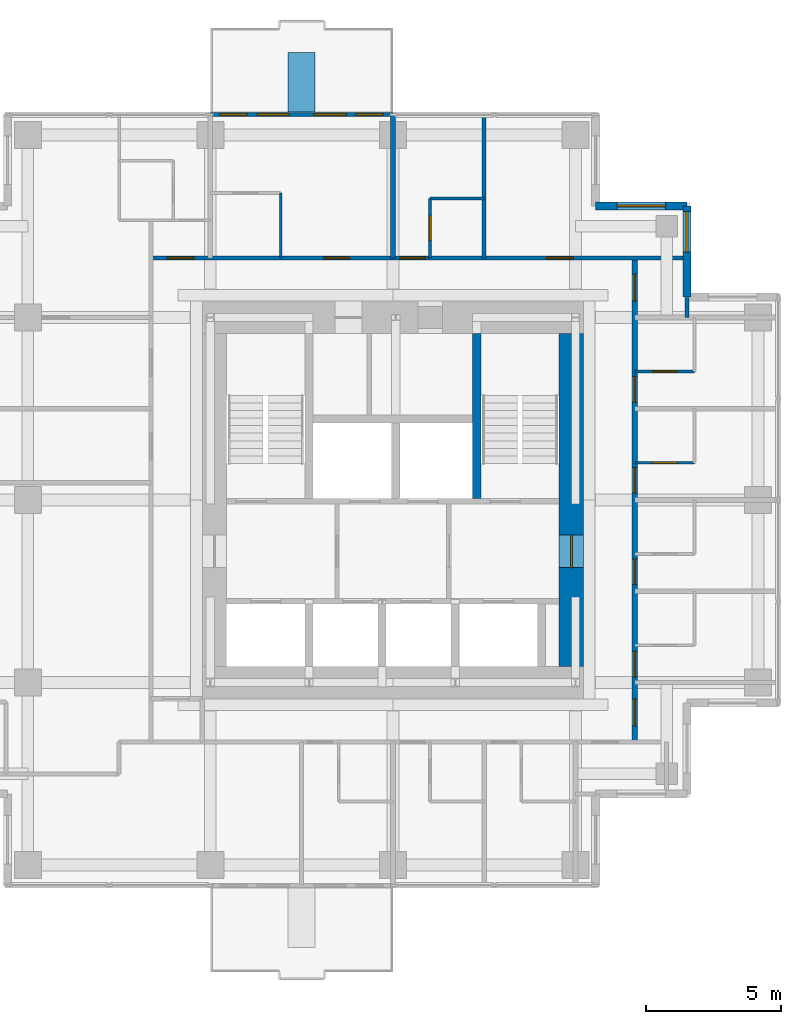
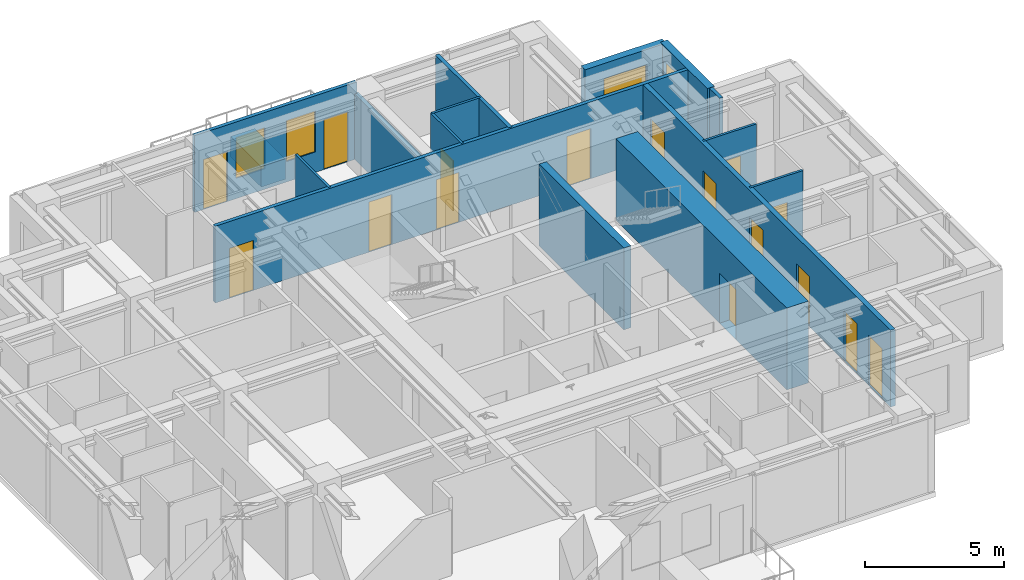
# One storey, part 6 of 8: 16 doors, 16 walls, 4 windows, 20 openings.
"""IFC4 building model written with IfcOpenShell, lengths in metres."""

from ifc_helpers import new_model, si_unit, direction, frame, frame_2d, origin, place, context, subcontext, project, spatial, rectangle, extrude, material, layer, layer_set, type_object, element, fill, save


model = new_model("IFC4")

# Units and contexts
model_context = context("Model", 3, precision=1e-05, world=origin(), true_north=direction((0.0, 1.0)))
body_context = subcontext(model_context, "Body", "Model", "MODEL_VIEW")
ifc_project = project(units=[si_unit("LENGTHUNIT", "METRE"), si_unit("AREAUNIT", "SQUARE_METRE"), si_unit("VOLUMEUNIT", "CUBIC_METRE"), si_unit("PLANEANGLEUNIT", "RADIAN"), si_unit("MASSUNIT", "GRAM", prefix="KILO")], contexts=[model_context])

# Site, building, storey
site_placement = place(None, origin())
site = spatial("IfcSite", under=ifc_project, at=site_placement, CompositionType="ELEMENT")
building_placement = place(site_placement, origin())
building = spatial("IfcBuilding", under=site, at=building_placement, Name="Nyansa Garden Tower", CompositionType="ELEMENT")
storey_placement = place(building_placement, frame((0.0, 0.0, 240.300048828125)))
storey = spatial("IfcBuildingStorey", under=building, at=storey_placement, Name="L65", CompositionType="ELEMENT", Elevation=240.300048828125)

# Wall
ifc_material_1 = material(Name="Dense blockwork, plastered both sides, 55 dB", Category="masonry")
ifc_layer_1 = layer(ifc_material_1, 0.175048828125)
ifc_layer_set_1 = layer_set([ifc_layer_1], Name="Acoustic party wall PW175")
wall_type_1 = type_object("IfcWallType", Name="Acoustic party wall PW175", PredefinedType="PARTITIONING", material=ifc_layer_set_1)
wall_1_placement = place(storey_placement, frame((20.25, 29.199951171875, 0.0), z_axis=(0.0, 0.0, 1.0), x_axis=(0.0, 1.0, 0.0)))
element("IfcWall", 1, at=wall_1_placement, inside=storey, type_object=wall_type_1, Name="Party wall", PredefinedType="PARTITIONING", context=body_context, shape_type="SweptSolid", body=[
    extrude(rectangle(XDim=5.283935546875, YDim=0.175048828125, at=frame_2d((2.64208984375, 0.0))), origin(), (0.0, 0.0, 1.0), 2.876953125),
])

# Wall, openings, doors, windows
ifc_material_2 = material(Name="Black aluminium framed glazed screen", Category="aluminium")
ifc_layer_2 = layer(ifc_material_2, 0.14990234375)
ifc_layer_set_2 = layer_set([ifc_layer_2], Name="Balcony screen wall BW150")
wall_type_2 = type_object("IfcWallType", Name="Balcony screen wall BW150", PredefinedType="SOLIDWALL", material=ifc_layer_set_2)
wall_2_placement = place(storey_placement, frame((13.5, 34.5, 0.0), z_axis=(0.0, 0.0, 1.0), x_axis=(1.0, 0.0, 0.0)))
wall_2 = element("IfcWall", 2, at=wall_2_placement, inside=storey, type_object=wall_type_2, Name="Glazed screen wall L65 N", PredefinedType="SOLIDWALL", context=body_context, shape_type="SweptSolid", body=[
    extrude(rectangle(XDim=6.75, YDim=0.14990234375, at=frame_2d((3.375, 0.0))), origin(), (0.0, 0.0, 1.0), 3.375),
])
opening_1_placement = place(wall_2_placement, frame((0.362548828125, 0.0, 0.0)))
opening_1 = element("IfcOpeningElement", 3, at=opening_1_placement, cuts=wall_2, Name="Opening D20", PredefinedType="OPENING", context=body_context, shape_type="SweptSolid", body=[
    extrude(rectangle(XDim=1.0, YDim=2.199951171875, at=frame_2d((0.5, 1.10009765625))), frame((0.0, 0.0849609375, 0.0), z_axis=(0.0, -1.0, 0.0), x_axis=(1.0, 0.0, 0.0)), (0.0, 0.0, 1.0), 0.169921875),
])
opening_2_placement = place(wall_2_placement, frame((1.72509765625, 0.0, 0.89990234375)))
opening_2 = element("IfcOpeningElement", 4, at=opening_2_placement, cuts=wall_2, Name="Opening W6", PredefinedType="OPENING", context=body_context, shape_type="SweptSolid", body=[
    extrude(rectangle(XDim=1.199951171875, YDim=1.800048828125, at=frame_2d((0.60009765625, 0.89990234375))), frame((0.0, 0.0849609375, 0.0), z_axis=(0.0, -1.0, 0.0), x_axis=(1.0, 0.0, 0.0)), (0.0, 0.0, 1.0), 0.169921875),
])
opening_3_placement = place(wall_2_placement, frame((5.387451171875, 0.0, 0.0)))
opening_3 = element("IfcOpeningElement", 5, at=opening_3_placement, cuts=wall_2, Name="Opening D20", PredefinedType="OPENING", context=body_context, shape_type="SweptSolid", body=[
    extrude(rectangle(XDim=1.0, YDim=2.199951171875, at=frame_2d((0.5, 1.10009765625))), frame((0.0, 0.0849609375, 0.0), z_axis=(0.0, -1.0, 0.0), x_axis=(1.0, 0.0, 0.0)), (0.0, 0.0, 1.0), 0.169921875),
])
opening_4_placement = place(wall_2_placement, frame((3.824951171875, 0.0, 0.89990234375)))
opening_4 = element("IfcOpeningElement", 6, at=opening_4_placement, cuts=wall_2, Name="Opening W6", PredefinedType="OPENING", context=body_context, shape_type="SweptSolid", body=[
    extrude(rectangle(XDim=1.199951171875, YDim=1.800048828125, at=frame_2d((0.60009765625, 0.89990234375))), frame((0.0, 0.0849609375, 0.0), z_axis=(0.0, -1.0, 0.0), x_axis=(1.0, 0.0, 0.0)), (0.0, 0.0, 1.0), 0.169921875),
])
ifc_material_3 = material(Name="Black aluminium framed glazed door", Category="aluminium")
door_type_1 = type_object("IfcDoorType", Name="Balcony door D20 1000x2200", OperationType="NOTDEFINED", PredefinedType="DOOR", material=ifc_material_3)
door_1_placement = place(opening_1_placement, origin())
door_1 = element("IfcDoor", 7, at=door_1_placement, inside=storey, type_object=door_type_1, Name="Balcony door L65", OperationType="SINGLE_SWING_LEFT", OverallHeight=2.199951171875, OverallWidth=1.0, PredefinedType="DOOR", context=body_context, shape_type="SweptSolid", body=[
    extrude(rectangle(XDim=1.0, YDim=2.199951171875, at=frame_2d((0.5, 1.10009765625))), frame((0.0, 0.02490234375, 0.0), z_axis=(0.0, -1.0, 0.0), x_axis=(1.0, 0.0, 0.0)), (0.0, 0.0, 1.0), 0.050048828125),
])
fill(opening_1, door_1)
door_2_placement = place(opening_3_placement, origin())
door_2 = element("IfcDoor", 8, at=door_2_placement, inside=storey, type_object=door_type_1, Name="Balcony door L65", OperationType="SINGLE_SWING_RIGHT", OverallHeight=2.199951171875, OverallWidth=1.0, PredefinedType="DOOR", context=body_context, shape_type="SweptSolid", body=[
    extrude(rectangle(XDim=1.0, YDim=2.199951171875, at=frame_2d((0.5, 1.10009765625))), frame((0.0, 0.02490234375, 0.0), z_axis=(0.0, -1.0, 0.0), x_axis=(1.0, 0.0, 0.0)), (0.0, 0.0, 1.0), 0.050048828125),
])
fill(opening_3, door_2)
ifc_material_4 = material(Name="Black aluminium frame, dark tinted double glazing", Category="aluminium")
window_type_1 = type_object("IfcWindowType", Name="Balcony window W6 1200x1800", PartitioningType="SINGLE_PANEL", PredefinedType="WINDOW", material=ifc_material_4)
window_1_placement = place(opening_2_placement, origin())
window_1 = element("IfcWindow", 9, at=window_1_placement, inside=storey, type_object=window_type_1, Name="Window L65", OverallHeight=1.800048828125, OverallWidth=1.199951171875, PartitioningType="SINGLE_PANEL", PredefinedType="WINDOW", context=body_context, shape_type="SweptSolid", body=[
    extrude(rectangle(XDim=1.199951171875, YDim=1.800048828125, at=frame_2d((0.60009765625, 0.89990234375))), frame((0.0, 0.030029296875, 0.0), z_axis=(0.0, -1.0, 0.0), x_axis=(1.0, 0.0, 0.0)), (0.0, 0.0, 1.0), 0.06005859375),
])
fill(opening_2, window_1)
window_2_placement = place(opening_4_placement, origin())
window_2 = element("IfcWindow", 10, at=window_2_placement, inside=storey, type_object=window_type_1, Name="Window L65", OverallHeight=1.800048828125, OverallWidth=1.199951171875, PartitioningType="SINGLE_PANEL", PredefinedType="WINDOW", context=body_context, shape_type="SweptSolid", body=[
    extrude(rectangle(XDim=1.199951171875, YDim=1.800048828125, at=frame_2d((0.60009765625, 0.89990234375))), frame((0.0, 0.030029296875, 0.0), z_axis=(0.0, -1.0, 0.0), x_axis=(1.0, 0.0, 0.0)), (0.0, 0.0, 1.0), 0.06005859375),
])
fill(opening_4, window_2)

# Wall
ifc_material_5 = material(Name="Concrete C70/85", Category="concrete")
ifc_layer_3 = layer(ifc_material_5, 0.300048828125)
ifc_layer_set_3 = layer_set([ifc_layer_3], Name="Core inner wall CI300")
wall_type_3 = type_object("IfcWallType", Name="Core inner wall CI300", PredefinedType="SHEAR", material=ifc_layer_set_3)
wall_3_placement = place(storey_placement, frame((23.35009765625, 20.300048828125, 0.0), z_axis=(0.0, 0.0, 1.0), x_axis=(0.0, 1.0, 0.0)))
element("IfcWall", 11, at=wall_3_placement, inside=storey, type_object=wall_type_3, Name="Core inner wall L65", PredefinedType="SHEAR", context=body_context, shape_type="SweptSolid", body=[
    extrude(rectangle(XDim=6.099853515625, YDim=0.300048828125, at=frame_2d((3.0498046875, 0.0))), origin(), (0.0, 0.0, 1.0), 3.599853515625),
])

# Wall, opening, door
ifc_material_6 = material(Name="Concrete C80/95", Category="concrete")
ifc_layer_4 = layer(ifc_material_6, 0.89990234375)
ifc_layer_set_4 = layer_set([ifc_layer_4], Name="Core wall CW900")
wall_type_4 = type_object("IfcWallType", Name="Core wall CW900", PredefinedType="SHEAR", material=ifc_layer_set_4)
wall_4_placement = place(storey_placement, frame((26.85009765625, 14.10009765625, 0.0), z_axis=(0.0, 0.0, 1.0), x_axis=(0.0, 1.0, 0.0)))
wall_4 = element("IfcWall", 12, at=wall_4_placement, inside=storey, type_object=wall_type_4, Name="Core wall E L65", PredefinedType="SHEAR", context=body_context, shape_type="SweptSolid", body=[
    extrude(rectangle(XDim=12.2998046875, YDim=0.89990234375, at=frame_2d((6.14990234375, 0.0))), origin(), (0.0, 0.0, 1.0), 3.599853515625),
])
opening_5_placement = place(wall_4_placement, frame((3.64990234375, 0.0, 0.0)))
opening_5 = element("IfcOpeningElement", 13, at=opening_5_placement, cuts=wall_4, Name="Opening D06", PredefinedType="OPENING", context=body_context, shape_type="SweptSolid", body=[
    extrude(rectangle(XDim=1.199951171875, YDim=2.199951171875, at=frame_2d((0.60009765625, 1.10009765625))), frame((0.0, 0.4599609375, 0.0), z_axis=(0.0, -1.0, 0.0), x_axis=(1.0, 0.0, 0.0)), (0.0, 0.0, 1.0), 0.919921875),
])
ifc_material_7 = material(Name="Steel door, 120 minute fire resisting", Category="steel")
door_type_2 = type_object("IfcDoorType", Name="Lobby door D06 1200x2200", OperationType="DOUBLE_DOOR_SINGLE_SWING", PredefinedType="DOOR", material=ifc_material_7)
door_3_placement = place(opening_5_placement, origin())
door_3 = element("IfcDoor", 14, at=door_3_placement, inside=storey, type_object=door_type_2, Name="Lift lobby door east", OperationType="DOUBLE_DOOR_SINGLE_SWING", OverallHeight=2.199951171875, OverallWidth=1.199951171875, PredefinedType="DOOR", context=body_context, shape_type="SweptSolid", body=[
    extrude(rectangle(XDim=1.199951171875, YDim=2.199951171875, at=frame_2d((0.60009765625, 1.10009765625))), frame((0.0, 0.02490234375, 0.0), z_axis=(0.0, -1.0, 0.0), x_axis=(1.0, 0.0, 0.0)), (0.0, 0.0, 1.0), 0.050048828125),
])
fill(opening_5, door_3)

# Wall, openings, doors
ifc_material_8 = material(Name="Concrete blockwork, plastered, 60 minute fire resisting", Category="masonry")
ifc_layer_5 = layer(ifc_material_8, 0.199951171875)
ifc_layer_set_5 = layer_set([ifc_layer_5], Name="Corridor wall FW200")
wall_type_5 = type_object("IfcWallType", Name="Corridor wall FW200", PredefinedType="PARTITIONING", material=ifc_layer_set_5)
wall_5_placement = place(storey_placement, frame((29.199951171875, 11.300048828125, 0.0), z_axis=(0.0, 0.0, 1.0), x_axis=(0.0, 1.0, 0.0)))
wall_5 = element("IfcWall", 15, at=wall_5_placement, inside=storey, type_object=wall_type_5, Name="Corridor wall", PredefinedType="PARTITIONING", context=body_context, shape_type="SweptSolid", body=[
    extrude(rectangle(XDim=17.89990234375, YDim=0.199951171875, at=frame_2d((8.949951171875, 0.0))), origin(), (0.0, 0.0, 1.0), 3.375),
])
opening_6_placement = place(wall_5_placement, frame((0.60009765625, 0.0, 0.0)))
opening_6 = element("IfcOpeningElement", 16, at=opening_6_placement, cuts=wall_5, Name="Opening D03", PredefinedType="OPENING", context=body_context, shape_type="SweptSolid", body=[
    extrude(rectangle(XDim=1.0, YDim=2.199951171875, at=frame_2d((0.5, 1.10009765625))), frame((0.0, 0.10986328125, 0.0), z_axis=(0.0, -1.0, 0.0), x_axis=(1.0, 0.0, 0.0)), (0.0, 0.0, 1.0), 0.219970703125),
])
opening_7_placement = place(wall_5_placement, frame((2.39990234375, 0.0, 0.0)))
opening_7 = element("IfcOpeningElement", 17, at=opening_7_placement, cuts=wall_5, Name="Opening D14", PredefinedType="OPENING", context=body_context, shape_type="SweptSolid", body=[
    extrude(rectangle(XDim=0.949951171875, YDim=2.199951171875, at=frame_2d((0.47509765625, 1.10009765625))), frame((0.0, 0.10986328125, 0.0), z_axis=(0.0, -1.0, 0.0), x_axis=(1.0, 0.0, 0.0)), (0.0, 0.0, 1.0), 0.219970703125),
])
opening_8_placement = place(wall_5_placement, frame((5.824951171875, 0.0, 0.0)))
opening_8 = element("IfcOpeningElement", 18, at=opening_8_placement, cuts=wall_5, Name="Opening D14", PredefinedType="OPENING", context=body_context, shape_type="SweptSolid", body=[
    extrude(rectangle(XDim=0.949951171875, YDim=2.199951171875, at=frame_2d((0.47509765625, 1.10009765625))), frame((0.0, 0.10986328125, 0.0), z_axis=(0.0, -1.0, 0.0), x_axis=(1.0, 0.0, 0.0)), (0.0, 0.0, 1.0), 0.219970703125),
])
opening_9_placement = place(wall_5_placement, frame((9.199951171875, 0.0, 0.0)))
opening_9 = element("IfcOpeningElement", 19, at=opening_9_placement, cuts=wall_5, Name="Opening D14", PredefinedType="OPENING", context=body_context, shape_type="SweptSolid", body=[
    extrude(rectangle(XDim=0.949951171875, YDim=2.199951171875, at=frame_2d((0.47509765625, 1.10009765625))), frame((0.0, 0.10986328125, 0.0), z_axis=(0.0, -1.0, 0.0), x_axis=(1.0, 0.0, 0.0)), (0.0, 0.0, 1.0), 0.219970703125),
])
opening_10_placement = place(wall_5_placement, frame((12.574951171875, 0.0, 0.0)))
opening_10 = element("IfcOpeningElement", 20, at=opening_10_placement, cuts=wall_5, Name="Opening D14", PredefinedType="OPENING", context=body_context, shape_type="SweptSolid", body=[
    extrude(rectangle(XDim=0.949951171875, YDim=2.199951171875, at=frame_2d((0.47509765625, 1.10009765625))), frame((0.0, 0.10986328125, 0.0), z_axis=(0.0, -1.0, 0.0), x_axis=(1.0, 0.0, 0.0)), (0.0, 0.0, 1.0), 0.219970703125),
])
opening_11_placement = place(wall_5_placement, frame((16.300048828125, 0.0, 0.0)))
opening_11 = element("IfcOpeningElement", 21, at=opening_11_placement, cuts=wall_5, Name="Opening D03", PredefinedType="OPENING", context=body_context, shape_type="SweptSolid", body=[
    extrude(rectangle(XDim=1.0, YDim=2.199951171875, at=frame_2d((0.5, 1.10009765625))), frame((0.0, 0.10986328125, 0.0), z_axis=(0.0, -1.0, 0.0), x_axis=(1.0, 0.0, 0.0)), (0.0, 0.0, 1.0), 0.219970703125),
])
ifc_material_9 = material(Name="Timber flush door, 60 minute fire resisting", Category="wood")
door_type_3 = type_object("IfcDoorType", Name="Cluster entrance door D03 1000x2200", OperationType="SINGLE_SWING_LEFT", PredefinedType="DOOR", material=ifc_material_9)
door_4_placement = place(opening_6_placement, origin())
door_4 = element("IfcDoor", 22, at=door_4_placement, inside=storey, type_object=door_type_3, Name="Door L65-025", OperationType="SINGLE_SWING_LEFT", OverallHeight=2.199951171875, OverallWidth=1.0, PredefinedType="DOOR", context=body_context, shape_type="SweptSolid", body=[
    extrude(rectangle(XDim=1.0, YDim=2.199951171875, at=frame_2d((0.5, 1.10009765625))), frame((0.0, 0.02490234375, 0.0), z_axis=(0.0, -1.0, 0.0), x_axis=(1.0, 0.0, 0.0)), (0.0, 0.0, 1.0), 0.050048828125),
])
fill(opening_6, door_4)
door_5_placement = place(opening_11_placement, origin())
door_5 = element("IfcDoor", 23, at=door_5_placement, inside=storey, type_object=door_type_3, Name="Door L65-034", OperationType="SINGLE_SWING_LEFT", OverallHeight=2.199951171875, OverallWidth=1.0, PredefinedType="DOOR", context=body_context, shape_type="SweptSolid", body=[
    extrude(rectangle(XDim=1.0, YDim=2.199951171875, at=frame_2d((0.5, 1.10009765625))), frame((0.0, 0.02490234375, 0.0), z_axis=(0.0, -1.0, 0.0), x_axis=(1.0, 0.0, 0.0)), (0.0, 0.0, 1.0), 0.050048828125),
])
fill(opening_11, door_5)
ifc_material_10 = material(Name="Timber flush door, 60 minute fire resisting, self-closing", Category="wood")
door_type_4 = type_object("IfcDoorType", Name="Studio entrance door D14 950x2200", OperationType="SINGLE_SWING_LEFT", PredefinedType="DOOR", material=ifc_material_10)
door_6_placement = place(opening_7_placement, origin())
door_6 = element("IfcDoor", 24, at=door_6_placement, inside=storey, type_object=door_type_4, Name="Door L65-026", OperationType="SINGLE_SWING_LEFT", OverallHeight=2.199951171875, OverallWidth=0.949951171875, PredefinedType="DOOR", context=body_context, shape_type="SweptSolid", body=[
    extrude(rectangle(XDim=0.949951171875, YDim=2.199951171875, at=frame_2d((0.47509765625, 1.10009765625))), frame((0.0, 0.02490234375, 0.0), z_axis=(0.0, -1.0, 0.0), x_axis=(1.0, 0.0, 0.0)), (0.0, 0.0, 1.0), 0.050048828125),
])
fill(opening_7, door_6)
door_7_placement = place(opening_8_placement, origin())
door_7 = element("IfcDoor", 25, at=door_7_placement, inside=storey, type_object=door_type_4, Name="Door L65-028", OperationType="SINGLE_SWING_LEFT", OverallHeight=2.199951171875, OverallWidth=0.949951171875, PredefinedType="DOOR", context=body_context, shape_type="SweptSolid", body=[
    extrude(rectangle(XDim=0.949951171875, YDim=2.199951171875, at=frame_2d((0.47509765625, 1.10009765625))), frame((0.0, 0.02490234375, 0.0), z_axis=(0.0, -1.0, 0.0), x_axis=(1.0, 0.0, 0.0)), (0.0, 0.0, 1.0), 0.050048828125),
])
fill(opening_8, door_7)
door_8_placement = place(opening_9_placement, origin())
door_8 = element("IfcDoor", 26, at=door_8_placement, inside=storey, type_object=door_type_4, Name="Door L65-030", OperationType="SINGLE_SWING_LEFT", OverallHeight=2.199951171875, OverallWidth=0.949951171875, PredefinedType="DOOR", context=body_context, shape_type="SweptSolid", body=[
    extrude(rectangle(XDim=0.949951171875, YDim=2.199951171875, at=frame_2d((0.47509765625, 1.10009765625))), frame((0.0, 0.02490234375, 0.0), z_axis=(0.0, -1.0, 0.0), x_axis=(1.0, 0.0, 0.0)), (0.0, 0.0, 1.0), 0.050048828125),
])
fill(opening_9, door_8)
door_9_placement = place(opening_10_placement, origin())
door_9 = element("IfcDoor", 27, at=door_9_placement, inside=storey, type_object=door_type_4, Name="Door L65-032", OperationType="SINGLE_SWING_LEFT", OverallHeight=2.199951171875, OverallWidth=0.949951171875, PredefinedType="DOOR", context=body_context, shape_type="SweptSolid", body=[
    extrude(rectangle(XDim=0.949951171875, YDim=2.199951171875, at=frame_2d((0.47509765625, 1.10009765625))), frame((0.0, 0.02490234375, 0.0), z_axis=(0.0, -1.0, 0.0), x_axis=(1.0, 0.0, 0.0)), (0.0, 0.0, 1.0), 0.050048828125),
])
fill(opening_10, door_9)

ifc_material_11 = material(Name="Blockwork, plastered both sides", Category="masonry")
ifc_layer_6 = layer(ifc_material_11, 0.14990234375)
ifc_layer_set_6 = layer_set([ifc_layer_6], Name="Partition PW150")
wall_type_6 = type_object("IfcWallType", Name="Partition PW150", PredefinedType="PARTITIONING", material=ifc_layer_set_6)
wall_6_placement = place(storey_placement, frame((11.300048828125, 29.199951171875, 0.0), z_axis=(0.0, 0.0, 1.0), x_axis=(1.0, 0.0, 0.0)))
wall_6 = element("IfcWall", 28, at=wall_6_placement, inside=storey, type_object=wall_type_6, Name="Partition", PredefinedType="PARTITIONING", context=body_context, shape_type="SweptSolid", body=[
    extrude(rectangle(XDim=19.808837890625, YDim=0.14990234375, at=frame_2d((9.904296875, 0.0))), origin(), (0.0, 0.0, 1.0), 3.375),
])
opening_12_placement = place(wall_6_placement, frame((14.625, 0.0, 0.0)))
opening_12 = element("IfcOpeningElement", 29, at=opening_12_placement, cuts=wall_6, Name="Opening D03", PredefinedType="OPENING", context=body_context, shape_type="SweptSolid", body=[
    extrude(rectangle(XDim=1.0, YDim=2.199951171875, at=frame_2d((0.5, 1.10009765625))), frame((0.0, 0.0849609375, 0.0), z_axis=(0.0, -1.0, 0.0), x_axis=(1.0, 0.0, 0.0)), (0.0, 0.0, 1.0), 0.169921875),
])
opening_13_placement = place(wall_6_placement, frame((6.39990234375, 0.0, 0.0)))
opening_13 = element("IfcOpeningElement", 30, at=opening_13_placement, cuts=wall_6, Name="Opening D14", PredefinedType="OPENING", context=body_context, shape_type="SweptSolid", body=[
    extrude(rectangle(XDim=0.949951171875, YDim=2.199951171875, at=frame_2d((0.47509765625, 1.10009765625))), frame((0.0, 0.0849609375, 0.0), z_axis=(0.0, -1.0, 0.0), x_axis=(1.0, 0.0, 0.0)), (0.0, 0.0, 1.0), 0.169921875),
])
opening_14_placement = place(wall_6_placement, frame((9.199951171875, 0.0, 0.0)))
opening_14 = element("IfcOpeningElement", 31, at=opening_14_placement, cuts=wall_6, Name="Opening D14", PredefinedType="OPENING", context=body_context, shape_type="SweptSolid", body=[
    extrude(rectangle(XDim=0.949951171875, YDim=2.199951171875, at=frame_2d((0.47509765625, 1.10009765625))), frame((0.0, 0.0849609375, 0.0), z_axis=(0.0, -1.0, 0.0), x_axis=(1.0, 0.0, 0.0)), (0.0, 0.0, 1.0), 0.169921875),
])
opening_15_placement = place(wall_6_placement, frame((0.60009765625, 0.0, 0.0)))
opening_15 = element("IfcOpeningElement", 32, at=opening_15_placement, cuts=wall_6, Name="Opening D03", PredefinedType="OPENING", context=body_context, shape_type="SweptSolid", body=[
    extrude(rectangle(XDim=1.0, YDim=2.199951171875, at=frame_2d((0.5, 1.10009765625))), frame((0.0, 0.0849609375, 0.0), z_axis=(0.0, -1.0, 0.0), x_axis=(1.0, 0.0, 0.0)), (0.0, 0.0, 1.0), 0.169921875),
])
door_10_placement = place(opening_12_placement, origin())
door_10 = element("IfcDoor", 33, at=door_10_placement, inside=storey, type_object=door_type_3, Name="Door L65-035", OperationType="SINGLE_SWING_LEFT", OverallHeight=2.199951171875, OverallWidth=1.0, PredefinedType="DOOR", context=body_context, shape_type="SweptSolid", body=[
    extrude(rectangle(XDim=1.0, YDim=2.199951171875, at=frame_2d((0.5, 1.10009765625))), frame((0.0, 0.02490234375, 0.0), z_axis=(0.0, -1.0, 0.0), x_axis=(1.0, 0.0, 0.0)), (0.0, 0.0, 1.0), 0.050048828125),
])
fill(opening_12, door_10)
door_11_placement = place(opening_15_placement, origin())
door_11 = element("IfcDoor", 34, at=door_11_placement, inside=storey, type_object=door_type_3, Name="Door L65-042", OperationType="SINGLE_SWING_LEFT", OverallHeight=2.199951171875, OverallWidth=1.0, PredefinedType="DOOR", context=body_context, shape_type="SweptSolid", body=[
    extrude(rectangle(XDim=1.0, YDim=2.199951171875, at=frame_2d((0.5, 1.10009765625))), frame((0.0, 0.02490234375, 0.0), z_axis=(0.0, -1.0, 0.0), x_axis=(1.0, 0.0, 0.0)), (0.0, 0.0, 1.0), 0.050048828125),
])
fill(opening_15, door_11)
door_12_placement = place(opening_13_placement, origin())
door_12 = element("IfcDoor", 35, at=door_12_placement, inside=storey, type_object=door_type_4, Name="Door L65-036", OperationType="SINGLE_SWING_LEFT", OverallHeight=2.199951171875, OverallWidth=0.949951171875, PredefinedType="DOOR", context=body_context, shape_type="SweptSolid", body=[
    extrude(rectangle(XDim=0.949951171875, YDim=2.199951171875, at=frame_2d((0.47509765625, 1.10009765625))), frame((0.0, 0.02490234375, 0.0), z_axis=(0.0, -1.0, 0.0), x_axis=(1.0, 0.0, 0.0)), (0.0, 0.0, 1.0), 0.050048828125),
])
fill(opening_13, door_12)
door_13_placement = place(opening_14_placement, origin())
door_13 = element("IfcDoor", 36, at=door_13_placement, inside=storey, type_object=door_type_4, Name="Door L65-040", OperationType="SINGLE_SWING_LEFT", OverallHeight=2.199951171875, OverallWidth=0.949951171875, PredefinedType="DOOR", context=body_context, shape_type="SweptSolid", body=[
    extrude(rectangle(XDim=0.949951171875, YDim=2.199951171875, at=frame_2d((0.47509765625, 1.10009765625))), frame((0.0, 0.02490234375, 0.0), z_axis=(0.0, -1.0, 0.0), x_axis=(1.0, 0.0, 0.0)), (0.0, 0.0, 1.0), 0.050048828125),
])
fill(opening_14, door_13)

# Walls
wall_7_placement = place(storey_placement, frame((23.625, 29.199951171875, 0.0), z_axis=(0.0, 0.0, 1.0), x_axis=(0.0, 1.0, 0.0)))
element("IfcWall", 37, at=wall_7_placement, inside=storey, type_object=wall_type_6, Name="Partition", PredefinedType="PARTITIONING", context=body_context, shape_type="SweptSolid", body=[
    extrude(rectangle(XDim=5.283935546875, YDim=0.14990234375, at=frame_2d((2.64208984375, 0.0))), origin(), (0.0, 0.0, 1.0), 3.375),
])
wall_8_placement = place(storey_placement, frame((31.125, 27.0, 0.0), z_axis=(0.0, 0.0, 1.0), x_axis=(0.0, 1.0, 0.0)))
element("IfcWall", 38, at=wall_8_placement, inside=storey, type_object=wall_type_6, Name="Partition", PredefinedType="PARTITIONING", context=body_context, shape_type="SweptSolid", body=[
    extrude(rectangle(XDim=0.73388671875, YDim=0.14990234375, at=frame_2d((0.366943359375, 0.0))), origin(), (0.0, 0.0, 1.0), 3.375),
])

# Wall, opening, window
ifc_material_12 = material(Name="Turquoise glazed tile on concrete blockwork", Category="masonry")
ifc_layer_7 = layer(ifc_material_12, 0.300048828125)
ifc_layer_set_7 = layer_set([ifc_layer_7], Name="Tiled corner wall TW300")
wall_type_7 = type_object("IfcWallType", Name="Tiled corner wall TW300", PredefinedType="SOLIDWALL", material=ifc_layer_set_7)
wall_9_placement = place(storey_placement, frame((31.125, 27.75, 0.0), z_axis=(0.0, 0.0, 1.0), x_axis=(0.0, 1.0, 0.0)))
wall_9 = element("IfcWall", 39, at=wall_9_placement, inside=storey, type_object=wall_type_7, Name="Tiled corner wall L65", PredefinedType="SOLIDWALL", context=body_context, shape_type="SweptSolid", body=[
    extrude(rectangle(XDim=3.375, YDim=0.300048828125, at=frame_2d((1.6875, 0.0))), origin(), (0.0, 0.0, 1.0), 3.375),
])
opening_16_placement = place(wall_9_placement, frame((1.66259765625, 0.0, 0.89990234375)))
opening_16 = element("IfcOpeningElement", 40, at=opening_16_placement, cuts=wall_9, Name="Opening W1", PredefinedType="OPENING", context=body_context, shape_type="SweptSolid", body=[
    extrude(rectangle(XDim=1.5, YDim=1.800048828125, at=frame_2d((0.75, 0.89990234375))), frame((0.0, 0.159912109375, 0.0), z_axis=(0.0, -1.0, 0.0), x_axis=(1.0, 0.0, 0.0)), (0.0, 0.0, 1.0), 0.320068359375),
])
ifc_material_13 = material(Name="Black aluminium frame, dark tinted double glazing", Category="aluminium")
window_type_2 = type_object("IfcWindowType", Name="Window W1 1500x1800", PartitioningType="SINGLE_PANEL", PredefinedType="WINDOW", material=ifc_material_13)
window_3_placement = place(opening_16_placement, origin())
window_3 = element("IfcWindow", 41, at=window_3_placement, inside=storey, type_object=window_type_2, Name="Corner window L65", OverallHeight=1.800048828125, OverallWidth=1.5, PartitioningType="SINGLE_PANEL", PredefinedType="WINDOW", context=body_context, shape_type="SweptSolid", body=[
    extrude(rectangle(XDim=1.5, YDim=1.800048828125, at=frame_2d((0.75, 0.89990234375))), frame((0.0, 0.030029296875, 0.0), z_axis=(0.0, -1.0, 0.0), x_axis=(1.0, 0.0, 0.0)), (0.0, 0.0, 1.0), 0.06005859375),
])
fill(opening_16, window_3)

wall_10_placement = place(storey_placement, frame((31.125, 31.125, 0.0), z_axis=(0.0, 0.0, 1.0), x_axis=(-1.0, 0.0, 0.0)))
wall_10 = element("IfcWall", 42, at=wall_10_placement, inside=storey, type_object=wall_type_7, Name="Tiled corner wall L65", PredefinedType="SOLIDWALL", context=body_context, shape_type="SweptSolid", body=[
    extrude(rectangle(XDim=3.375, YDim=0.300048828125, at=frame_2d((1.6875, 0.0))), origin(), (0.0, 0.0, 1.0), 3.375),
])
opening_17_placement = place(wall_10_placement, frame((0.78759765625, 0.0, 0.60009765625)))
opening_17 = element("IfcOpeningElement", 43, at=opening_17_placement, cuts=wall_10, Name="Opening W2", PredefinedType="OPENING", context=body_context, shape_type="SweptSolid", body=[
    extrude(rectangle(XDim=1.800048828125, YDim=2.10009765625, at=frame_2d((0.89990234375, 1.050048828125))), frame((0.0, 0.159912109375, 0.0), z_axis=(0.0, -1.0, 0.0), x_axis=(1.0, 0.0, 0.0)), (0.0, 0.0, 1.0), 0.320068359375),
])
ifc_material_14 = material(Name="Black aluminium frame, dark tinted double glazing", Category="aluminium")
window_type_3 = type_object("IfcWindowType", Name="Window W2 1800x2100", PartitioningType="SINGLE_PANEL", PredefinedType="WINDOW", material=ifc_material_14)
window_4_placement = place(opening_17_placement, origin())
window_4 = element("IfcWindow", 44, at=window_4_placement, inside=storey, type_object=window_type_3, Name="Corner window L65", OverallHeight=2.10009765625, OverallWidth=1.800048828125, PartitioningType="SINGLE_PANEL", PredefinedType="WINDOW", context=body_context, shape_type="SweptSolid", body=[
    extrude(rectangle(XDim=1.800048828125, YDim=2.10009765625, at=frame_2d((0.89990234375, 1.050048828125))), frame((0.0, 0.030029296875, 0.0), z_axis=(0.0, -1.0, 0.0), x_axis=(1.0, 0.0, 0.0)), (0.0, 0.0, 1.0), 0.06005859375),
])
fill(opening_17, window_4)

# Walls
ifc_material_15 = material(Name="Concrete C40/50 planter, waterproofed", Category="concrete")
ifc_layer_8 = layer(ifc_material_15, 1.0)
ifc_layer_set_8 = layer_set([ifc_layer_8], Name="Tree planter TP1")
wall_type_8 = type_object("IfcWallType", Name="Tree planter TP1", PredefinedType="USERDEFINED", material=ifc_layer_set_8)
wall_11_placement = place(storey_placement, frame((16.875, 34.60009765625, 0.0), z_axis=(0.0, 0.0, 1.0), x_axis=(0.0, 1.0, 0.0)))
element("IfcWall", 45, at=wall_11_placement, inside=storey, type_object=wall_type_8, Name="Tree planter L65", ObjectType="TREE PLANTER", PredefinedType="USERDEFINED", context=body_context, shape_type="SweptSolid", body=[
    extrude(rectangle(XDim=2.199951171875, YDim=1.0, at=frame_2d((1.10009765625, 0.0))), origin(), (0.0, 0.0, 1.0), 0.89990234375),
])
ifc_material_16 = material(Name="Moisture resistant board on steel studs, tiled", Category="steel")
ifc_layer_9 = layer(ifc_material_16, 0.10009765625)
ifc_layer_set_9 = layer_set([ifc_layer_9], Name="Wet wall PW100")
wall_type_9 = type_object("IfcWallType", Name="Wet wall PW100", PredefinedType="PARTITIONING", material=ifc_layer_set_9)
wall_12_placement = place(storey_placement, frame((16.10009765625, 29.199951171875, 0.0), z_axis=(0.0, 0.0, 1.0), x_axis=(0.0, 1.0, 0.0)))
element("IfcWall", 46, at=wall_12_placement, inside=storey, type_object=wall_type_9, Name="Wet wall", PredefinedType="PARTITIONING", context=body_context, shape_type="SweptSolid", body=[
    extrude(rectangle(XDim=2.400146484375, YDim=0.10009765625, at=frame_2d((1.2001953125, 0.0))), origin(), (0.0, 0.0, 1.0), 3.375),
])

# Wall, opening, door
wall_13_placement = place(storey_placement, frame((21.625, 29.199951171875, 0.0), z_axis=(0.0, 0.0, 1.0), x_axis=(0.0, 1.0, 0.0)))
wall_13 = element("IfcWall", 47, at=wall_13_placement, inside=storey, type_object=wall_type_9, Name="Wet wall", PredefinedType="PARTITIONING", context=body_context, shape_type="SweptSolid", body=[
    extrude(rectangle(XDim=2.199951171875, YDim=0.10009765625, at=frame_2d((1.10009765625, 0.0))), origin(), (0.0, 0.0, 1.0), 3.375),
])
opening_18_placement = place(wall_13_placement, frame((0.64990234375, 0.0, 0.0)))
opening_18 = element("IfcOpeningElement", 48, at=opening_18_placement, cuts=wall_13, Name="Opening D02", PredefinedType="OPENING", context=body_context, shape_type="SweptSolid", body=[
    extrude(rectangle(XDim=0.89990234375, YDim=2.199951171875, at=frame_2d((0.449951171875, 1.10009765625))), frame((0.0, 0.06005859375, 0.0), z_axis=(0.0, -1.0, 0.0), x_axis=(1.0, 0.0, 0.0)), (0.0, 0.0, 1.0), 0.1201171875),
])
ifc_material_17 = material(Name="Timber flush door", Category="wood")
door_type_5 = type_object("IfcDoorType", Name="En-suite door D02 900x2200", OperationType="SINGLE_SWING_RIGHT", PredefinedType="DOOR", material=ifc_material_17)
door_14_placement = place(opening_18_placement, origin())
door_14 = element("IfcDoor", 49, at=door_14_placement, inside=storey, type_object=door_type_5, Name="Door L65-041", OperationType="SINGLE_SWING_RIGHT", OverallHeight=2.199951171875, OverallWidth=0.89990234375, PredefinedType="DOOR", context=body_context, shape_type="SweptSolid", body=[
    extrude(rectangle(XDim=0.89990234375, YDim=2.199951171875, at=frame_2d((0.449951171875, 1.10009765625))), frame((0.0, 0.02490234375, 0.0), z_axis=(0.0, -1.0, 0.0), x_axis=(1.0, 0.0, 0.0)), (0.0, 0.0, 1.0), 0.050048828125),
])
fill(opening_18, door_14)

# Wall
wall_14_placement = place(storey_placement, frame((21.625, 31.39990234375, 0.0), z_axis=(0.0, 0.0, 1.0), x_axis=(1.0, 0.0, 0.0)))
element("IfcWall", 50, at=wall_14_placement, inside=storey, type_object=wall_type_9, Name="Wet wall", PredefinedType="PARTITIONING", context=body_context, shape_type="SweptSolid", body=[
    extrude(rectangle(XDim=2.0, YDim=0.10009765625, at=frame_2d((1.0, 0.0))), origin(), (0.0, 0.0, 1.0), 3.375),
])

# Wall, opening, door
wall_15_placement = place(storey_placement, frame((29.199951171875, 21.625, 0.0), z_axis=(0.0, 0.0, 1.0), x_axis=(1.0, 0.0, 0.0)))
wall_15 = element("IfcWall", 51, at=wall_15_placement, inside=storey, type_object=wall_type_9, Name="Wet wall", PredefinedType="PARTITIONING", context=body_context, shape_type="SweptSolid", body=[
    extrude(rectangle(XDim=2.199951171875, YDim=0.10009765625, at=frame_2d((1.10009765625, 0.0))), origin(), (0.0, 0.0, 1.0), 3.375),
])
opening_19_placement = place(wall_15_placement, frame((0.64990234375, 0.0, 0.0)))
opening_19 = element("IfcOpeningElement", 52, at=opening_19_placement, cuts=wall_15, Name="Opening D02", PredefinedType="OPENING", context=body_context, shape_type="SweptSolid", body=[
    extrude(rectangle(XDim=0.89990234375, YDim=2.199951171875, at=frame_2d((0.449951171875, 1.10009765625))), frame((0.0, 0.06005859375, 0.0), z_axis=(0.0, -1.0, 0.0), x_axis=(1.0, 0.0, 0.0)), (0.0, 0.0, 1.0), 0.1201171875),
])
door_15_placement = place(opening_19_placement, origin())
door_15 = element("IfcDoor", 53, at=door_15_placement, inside=storey, type_object=door_type_5, Name="Door L65-031", OperationType="SINGLE_SWING_RIGHT", OverallHeight=2.199951171875, OverallWidth=0.89990234375, PredefinedType="DOOR", context=body_context, shape_type="SweptSolid", body=[
    extrude(rectangle(XDim=0.89990234375, YDim=2.199951171875, at=frame_2d((0.449951171875, 1.10009765625))), frame((0.0, 0.02490234375, 0.0), z_axis=(0.0, -1.0, 0.0), x_axis=(1.0, 0.0, 0.0)), (0.0, 0.0, 1.0), 0.050048828125),
])
fill(opening_19, door_15)

wall_16_placement = place(storey_placement, frame((29.199951171875, 25.0, 0.0), z_axis=(0.0, 0.0, 1.0), x_axis=(1.0, 0.0, 0.0)))
wall_16 = element("IfcWall", 54, at=wall_16_placement, inside=storey, type_object=wall_type_9, Name="Wet wall", PredefinedType="PARTITIONING", context=body_context, shape_type="SweptSolid", body=[
    extrude(rectangle(XDim=2.199951171875, YDim=0.10009765625, at=frame_2d((1.10009765625, 0.0))), origin(), (0.0, 0.0, 1.0), 3.375),
])
opening_20_placement = place(wall_16_placement, frame((0.64990234375, 0.0, 0.0)))
opening_20 = element("IfcOpeningElement", 55, at=opening_20_placement, cuts=wall_16, Name="Opening D02", PredefinedType="OPENING", context=body_context, shape_type="SweptSolid", body=[
    extrude(rectangle(XDim=0.89990234375, YDim=2.199951171875, at=frame_2d((0.449951171875, 1.10009765625))), frame((0.0, 0.06005859375, 0.0), z_axis=(0.0, -1.0, 0.0), x_axis=(1.0, 0.0, 0.0)), (0.0, 0.0, 1.0), 0.1201171875),
])
door_16_placement = place(opening_20_placement, origin())
door_16 = element("IfcDoor", 56, at=door_16_placement, inside=storey, type_object=door_type_5, Name="Door L65-033", OperationType="SINGLE_SWING_RIGHT", OverallHeight=2.199951171875, OverallWidth=0.89990234375, PredefinedType="DOOR", context=body_context, shape_type="SweptSolid", body=[
    extrude(rectangle(XDim=0.89990234375, YDim=2.199951171875, at=frame_2d((0.449951171875, 1.10009765625))), frame((0.0, 0.02490234375, 0.0), z_axis=(0.0, -1.0, 0.0), x_axis=(1.0, 0.0, 0.0)), (0.0, 0.0, 1.0), 0.050048828125),
])
fill(opening_20, door_16)

save(model, "model.ifc")
